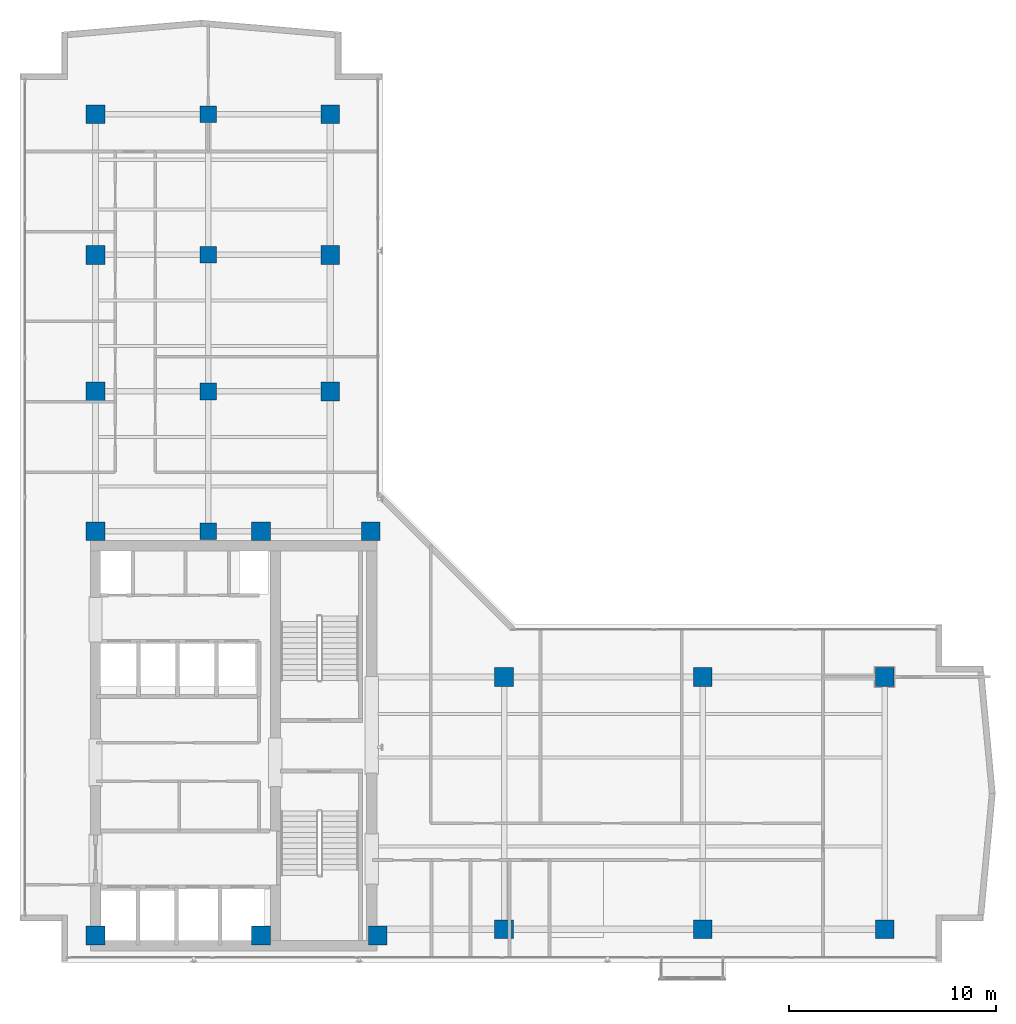
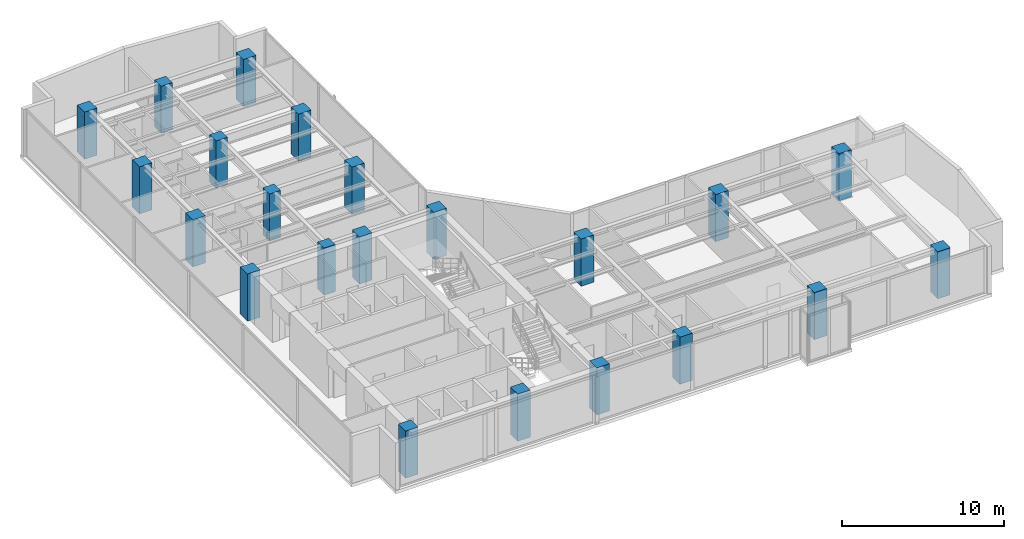
# One storey, part 1 of 24: 22 columns.
"""IFC4 building model written with IfcOpenShell, lengths in metres."""

from ifc_helpers import new_model, si_unit, direction, frame, origin, origin_2d, place, context, subcontext, project, spatial, rectangle, extrude, material, material_profile, profile_set, type_object, element, save


model = new_model("IFC4")

# Units and contexts
model_context = context("Model", 3, precision=1e-05, world=origin(), true_north=direction((0.0, 1.0)))
body_context = subcontext(model_context, "Body", "Model", "MODEL_VIEW")
ifc_project = project(units=[si_unit("LENGTHUNIT", "METRE"), si_unit("AREAUNIT", "SQUARE_METRE"), si_unit("VOLUMEUNIT", "CUBIC_METRE"), si_unit("PLANEANGLEUNIT", "RADIAN"), si_unit("MASSUNIT", "GRAM", prefix="KILO")], contexts=[model_context])

# Site, building, storey
site_placement = place(None, origin())
site = spatial("IfcSite", under=ifc_project, at=site_placement, CompositionType="ELEMENT")
building_placement = place(site_placement, origin())
building = spatial("IfcBuilding", under=site, at=building_placement, Name="Kolvaren Waterfront Exchange", CompositionType="ELEMENT")
storey_placement = place(building_placement, frame((0.0, 0.0, 285.60009765625)))
storey = spatial("IfcBuildingStorey", under=building, at=storey_placement, Name="L73", CompositionType="ELEMENT", Elevation=285.60009765625)

# Columns
ifc_material = material(Name="Concrete C50/60", Category="concrete")
ifc_material_profile_1 = material_profile(ifc_material, rectangle(XDim=0.800048828125, YDim=0.800048828125, at=origin_2d()), Name="RC-COL-800x800")
ifc_profile_set_1 = profile_set([ifc_material_profile_1], Name="Concrete C50/60")
column_type_1 = type_object("IfcColumnType", Name="STR-COL-800-C50", PredefinedType="COLUMN", material=ifc_profile_set_1)
for number, where, z_axis, x_axis, name in (
    (1, (12.89990234375, 24.449951171875, 0.0), (0.0, 0.0, 1.0), (1.0, 0.0, 0.0), "L73 column TC01"),
    (2, (12.89990234375, 31.199951171875, 0.0), (0.0, 0.0, 1.0), (1.0, 0.0, 0.0), "L73 column TC02"),
    (3, (12.89990234375, 37.800048828125, 0.0), (0.0, 0.0, 1.0), (1.0, 0.0, 0.0), "L73 column TC03"),
    (4, (12.89990234375, 44.60009765625, 0.0), (0.0, 0.0, 1.0), (1.0, 0.0, 0.0), "L73 column TC04"),
):
    element("IfcColumn", number, at=place(storey_placement, frame(where, z_axis=z_axis, x_axis=x_axis)), inside=storey, type_object=column_type_1, Name=name, PredefinedType="COLUMN", context=body_context, shape_type="SweptSolid", body=[
        extrude(rectangle(XDim=0.800048828125, YDim=0.800048828125, at=origin_2d()), origin(), (0.0, 0.0, 1.0), 3.559814453125),
    ])
ifc_material_profile_2 = material_profile(ifc_material, rectangle(XDim=0.89990234375, YDim=0.89990234375, at=origin_2d()), Name="RC-COL-900x900")
ifc_profile_set_2 = profile_set([ifc_material_profile_2], Name="Concrete C50/60")
column_type_2 = type_object("IfcColumnType", Name="STR-COL-900-C50", PredefinedType="COLUMN", material=ifc_profile_set_2)
for number, where, z_axis, x_axis, name in (
    (5, (7.449951171875, 4.89990234375, 0.0), (0.0, 0.0, 1.0), (1.0, 0.0, 0.0), "L73 column MC01"),
    (6, (15.449951171875, 4.89990234375, 0.0), (0.0, 0.0, 1.0), (1.0, 0.0, 0.0), "L73 column MC02"),
    (7, (21.10009765625, 4.89990234375, 0.0), (0.0, 0.0, 1.0), (1.0, 0.0, 0.0), "L73 column MC03"),
    (8, (7.449951171875, 24.449951171875, 0.0), (0.0, 0.0, 1.0), (1.0, 0.0, 0.0), "L73 column MC04"),
    (9, (15.449951171875, 24.449951171875, 0.0), (0.0, 0.0, 1.0), (1.0, 0.0, 0.0), "L73 column MC05"),
    (10, (20.75, 24.449951171875, 0.0), (0.0, 0.0, 1.0), (1.0, 0.0, 0.0), "L73 column MC06"),
    (11, (7.449951171875, 31.199951171875, 0.0), (0.0, 0.0, 1.0), (1.0, 0.0, 0.0), "L73 column NC01"),
    (12, (7.449951171875, 37.800048828125, 0.0), (0.0, 0.0, 1.0), (1.0, 0.0, 0.0), "L73 column NC02"),
    (13, (7.449951171875, 44.60009765625, 0.0), (0.0, 0.0, 1.0), (1.0, 0.0, 0.0), "L73 column NC03"),
    (14, (18.800048828125, 31.199951171875, 0.0), (0.0, 0.0, 1.0), (1.0, 0.0, 0.0), "L73 column NC04"),
    (15, (18.800048828125, 37.800048828125, 0.0), (0.0, 0.0, 1.0), (1.0, 0.0, 0.0), "L73 column NC05"),
    (16, (18.800048828125, 44.60009765625, 0.0), (0.0, 0.0, 1.0), (1.0, 0.0, 0.0), "L73 column NC06"),
    (17, (27.199951171875, 5.199951171875, 0.0), (0.0, 0.0, 1.0), (1.0, 0.0, 0.0), "L73 column EC01"),
    (18, (36.800048828125, 5.199951171875, 0.0), (0.0, 0.0, 1.0), (1.0, 0.0, 0.0), "L73 column EC02"),
    (19, (45.60009765625, 5.199951171875, 0.0), (0.0, 0.0, 1.0), (1.0, 0.0, 0.0), "L73 column EC03"),
    (20, (27.199951171875, 17.39990234375, 0.0), (0.0, 0.0, 1.0), (1.0, 0.0, 0.0), "L73 column EC04"),
    (21, (36.800048828125, 17.39990234375, 0.0), (0.0, 0.0, 1.0), (1.0, 0.0, 0.0), "L73 column EC05"),
    (22, (45.60009765625, 17.39990234375, 0.0), (0.0, 0.0, 1.0), (1.0, 0.0, 0.0), "L73 column EC06"),
):
    element("IfcColumn", number, at=place(storey_placement, frame(where, z_axis=z_axis, x_axis=x_axis)), inside=storey, type_object=column_type_2, Name=name, PredefinedType="COLUMN", context=body_context, shape_type="SweptSolid", body=[
        extrude(rectangle(XDim=0.89990234375, YDim=0.89990234375, at=origin_2d()), origin(), (0.0, 0.0, 1.0), 3.559814453125),
    ])

save(model, "model.ifc")
